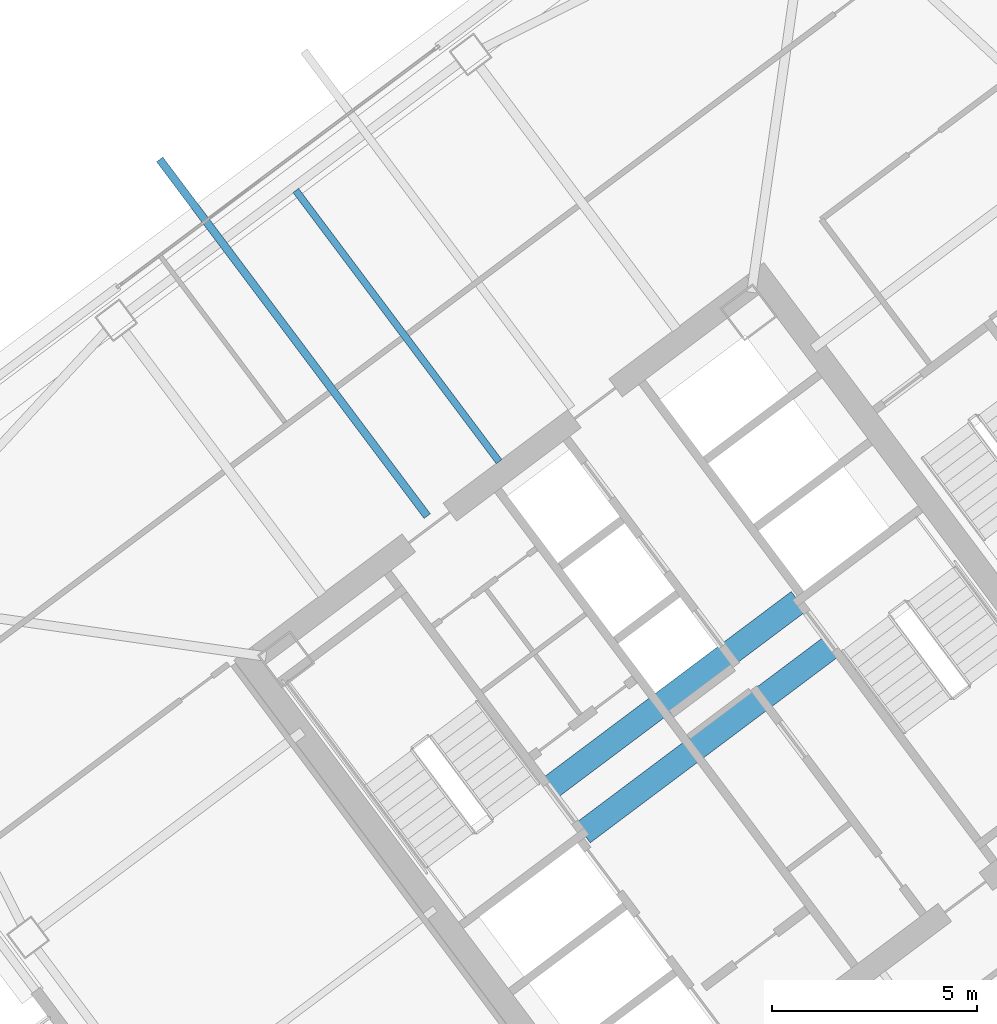
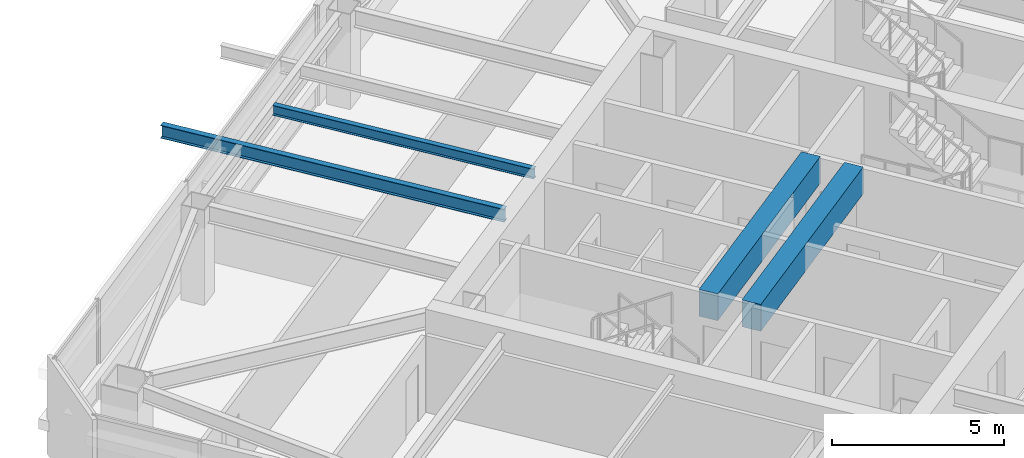
# One storey, part 20 of 41: 4 beams.
"""IFC4 building model written with IfcOpenShell, lengths in metres."""

from ifc_helpers import new_model, si_unit, direction, frame, origin, origin_2d, place, context, subcontext, project, spatial, rectangle, i_section, extrude, material, material_profile, profile_set, type_object, element, save


model = new_model("IFC4")

# Units and contexts
model_context = context("Model", 3, precision=1e-05, world=origin(), true_north=direction((0.0, 1.0)))
body_context = subcontext(model_context, "Body", "Model", "MODEL_VIEW")
ifc_project = project(units=[si_unit("LENGTHUNIT", "METRE"), si_unit("AREAUNIT", "SQUARE_METRE"), si_unit("VOLUMEUNIT", "CUBIC_METRE"), si_unit("PLANEANGLEUNIT", "RADIAN"), si_unit("MASSUNIT", "GRAM", prefix="KILO")], contexts=[model_context])

# Site, building, storey
site_placement = place(None, origin())
site = spatial("IfcSite", under=ifc_project, at=site_placement, CompositionType="ELEMENT")
building_placement = place(site_placement, origin())
building = spatial("IfcBuilding", under=site, at=building_placement, Name="Tashvorn Skyway Center", CompositionType="ELEMENT")
storey_placement = place(building_placement, frame((0.0, 0.0, 174.75)))
storey = spatial("IfcBuildingStorey", under=building, at=storey_placement, Name="L47", CompositionType="ELEMENT", Elevation=174.75)

# Beams
ifc_material_1 = material(Name="Steel ASTM A992 Grade 50", Category="steel")
ifc_material_profile_1 = material_profile(ifc_material_1, i_section(OverallWidth=0.1708984375, OverallDepth=0.35498046875, WebThickness=0.007080078125, FlangeThickness=0.01171875, at=origin_2d()), Name="W14X34")
ifc_profile_set_1 = profile_set([ifc_material_profile_1], Name="Steel ASTM A992 Grade 50")
beam_type_1 = type_object("IfcBeamType", Name="BM-JOIST-W14X34", PredefinedType="JOIST", material=ifc_profile_set_1)
beam_1_placement = place(storey_placement, frame((109.325927734375, 38.23193359375, 3.1923828125), z_axis=(-0.59999527236, 0.800003545708, 0.0), x_axis=(-0.800003545708, -0.59999527236, 0.0)))
element("IfcBeam", 1, at=beam_1_placement, inside=storey, type_object=beam_type_1, Name="Tower 2 L47 Secondary Composite Joist JN", PredefinedType="JOIST", context=body_context, shape_type="SweptSolid", body=[
    extrude(i_section(OverallWidth=0.1708984375, OverallDepth=0.35498046875, WebThickness=0.007080078125, FlangeThickness=0.01171875, at=origin_2d()), origin(), (0.0, 0.0, 1.0), 8.2626953125),
])
ifc_material_profile_2 = material_profile(ifc_material_1, i_section(OverallWidth=0.19091796875, OverallDepth=0.4599609375, WebThickness=0.010009765625, FlangeThickness=0.01611328125, at=origin_2d()), Name="W18X55")
ifc_profile_set_2 = profile_set([ifc_material_profile_2], Name="Steel ASTM A992 Grade 50")
beam_type_2 = type_object("IfcBeamType", Name="BM-JOIST-W18X55", PredefinedType="JOIST", material=ifc_profile_set_2)
beam_2_placement = place(storey_placement, frame((107.572021484375, 36.904052734375, 3.139892578125), z_axis=(-0.599996406394, 0.800002695192, 0.0), x_axis=(-0.800002695192, -0.599996406394, 0.0)))
element("IfcBeam", 2, at=beam_2_placement, inside=storey, type_object=beam_type_2, Name="Tower 2 L48 Terrace Cantilever Outlooker 1", PredefinedType="JOIST", context=body_context, shape_type="SweptSolid", body=[
    extrude(i_section(OverallWidth=0.19091796875, OverallDepth=0.4599609375, WebThickness=0.010009765625, FlangeThickness=0.01611328125, at=origin_2d()), origin(), (0.0, 0.0, 1.0), 10.8701171875),
])
ifc_material_2 = material(Name="Concrete C60/75", Category="concrete")
ifc_material_profile_3 = material_profile(ifc_material_2, rectangle(XDim=0.60009765625, YDim=0.949951171875, at=origin_2d()), Name="RCB600x950")
ifc_profile_set_3 = profile_set([ifc_material_profile_3], Name="Concrete C60/75")
beam_type_3 = type_object("IfcBeamType", Name="BM-LINTEL-RCB600x950", PredefinedType="LINTEL", material=ifc_profile_set_3)
for number, where, z_axis, x_axis, name in (
    (3, (110.552001953125, 30.263916015625, 2.89501953125), (0.8, 0.6, 0.0), (-0.6, 0.8, 0.0), "Tower 2 L47 Core Coupling Beam CN"),
    (4, (111.367919921875, 29.176025390625, 2.89501953125), (0.8, 0.6, 0.0), (-0.6, 0.8, 0.0), "Tower 2 L47 Core Coupling Beam CS"),
):
    element("IfcBeam", number, at=place(storey_placement, frame(where, z_axis=z_axis, x_axis=x_axis)), inside=storey, type_object=beam_type_3, Name=name, PredefinedType="LINTEL", context=body_context, shape_type="SweptSolid", body=[
        extrude(rectangle(XDim=0.60009765625, YDim=0.949951171875, at=origin_2d()), origin(), (0.0, 0.0, 1.0), 7.60009765625),
    ])

save(model, "model.ifc")
